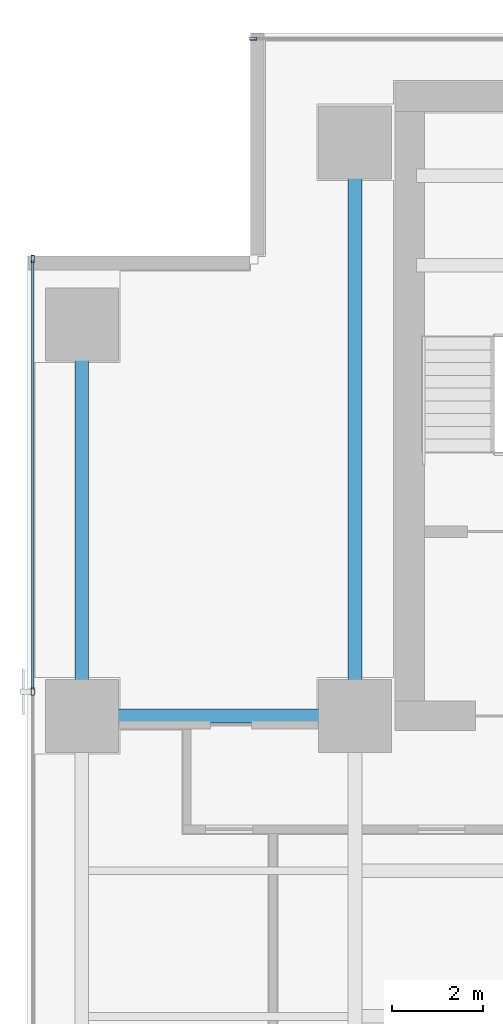
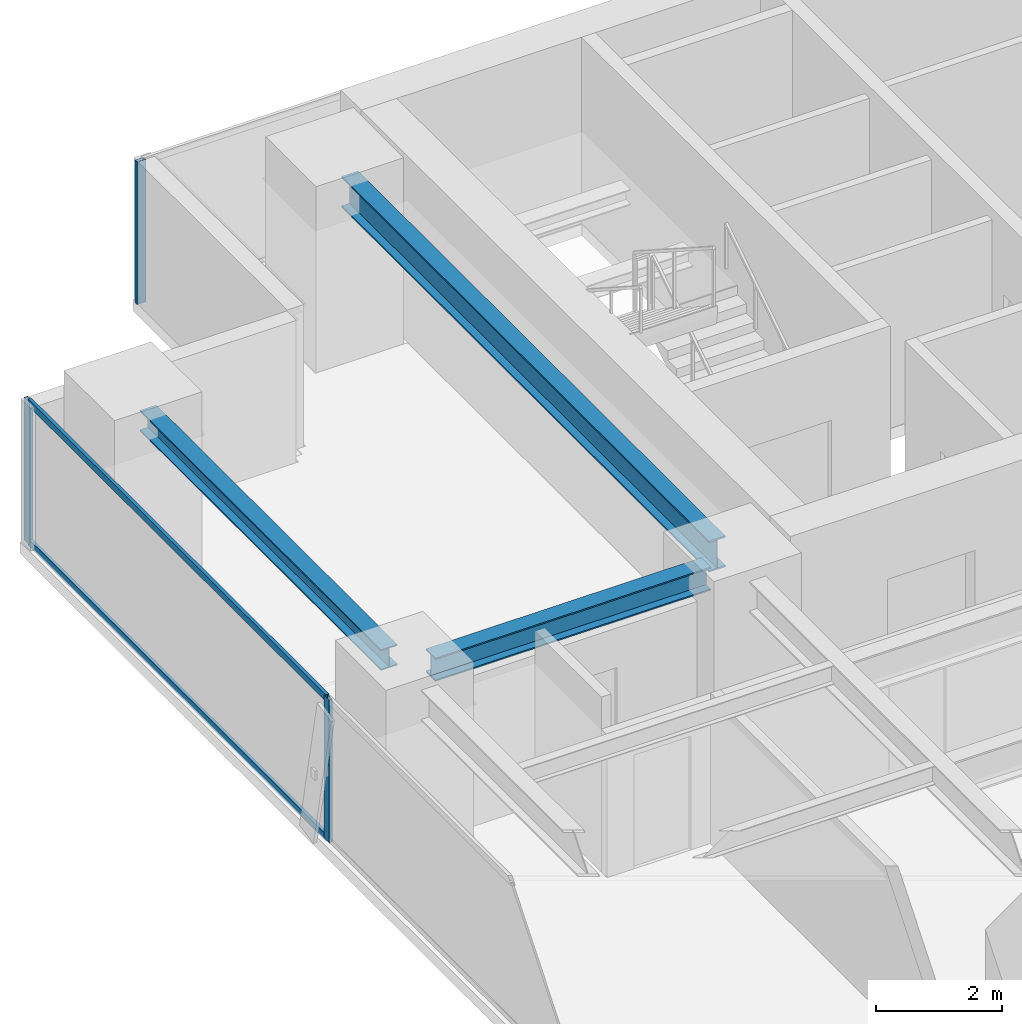
# One storey, part 14 of 28: 5 members, 3 beams, 2 elements without a shape of their own.
"""IFC4 building model written with IfcOpenShell, lengths in metres."""

from ifc_helpers import new_model, si_unit, direction, frame, origin, origin_2d, place, context, subcontext, project, spatial, hollow_rectangle, i_section, extrude, source, transform, mapped, material, layer, layer_set, material_profile, profile_set, type_object, element, aggregate, save


model = new_model("IFC4")

# Units and contexts
model_context = context("Model", 3, precision=1e-05, world=origin(), true_north=direction((0.0, 1.0)))
body_context = subcontext(model_context, "Body", "Model", "MODEL_VIEW")
ifc_project = project(units=[si_unit("LENGTHUNIT", "METRE"), si_unit("AREAUNIT", "SQUARE_METRE"), si_unit("VOLUMEUNIT", "CUBIC_METRE"), si_unit("PLANEANGLEUNIT", "RADIAN"), si_unit("MASSUNIT", "GRAM", prefix="KILO")], contexts=[model_context])

# Site, building, storey
site_placement = place(None, origin())
site = spatial("IfcSite", under=ifc_project, at=site_placement, CompositionType="ELEMENT")
building_placement = place(site_placement, origin())
building = spatial("IfcBuilding", under=site, at=building_placement, Name="Sumidabori Civic Tower", CompositionType="ELEMENT")
storey_placement = place(building_placement, frame((0.0, 0.0, 167.60009765625)))
storey = spatial("IfcBuildingStorey", under=building, at=storey_placement, Name="L43", CompositionType="ELEMENT", Elevation=167.60009765625)

# Beams
ifc_material_1 = material(Name="Steel SN490", Category="steel")
ifc_material_profile_1 = material_profile(ifc_material_1, i_section(OverallWidth=0.300048828125, OverallDepth=0.39990234375, WebThickness=0.013427734375, FlangeThickness=0.02392578125, at=origin_2d()), Name="HE 400 B")
ifc_profile_set_1 = profile_set([ifc_material_profile_1], Name="Steel SN490")
beam_type_1 = type_object("IfcBeamType", Name="BM-GIRD-400", PredefinedType="BEAM", material=ifc_profile_set_1)
shared_shape_1 = source(origin(), body_context, "Body", "SweptSolid", [
    extrude(i_section(OverallWidth=0.300048828125, OverallDepth=0.39990234375, WebThickness=0.013427734375, FlangeThickness=0.02392578125, at=origin_2d()), origin(), (0.0, 0.0, 1.0), 7.64013671875),
])
beam_1_placement = place(storey_placement, frame((-22.800048828125, 10.679931640625, 3.179931640625), z_axis=(0.0, 1.0, 0.0), x_axis=(-1.0, 0.0, 0.0)))
element("IfcBeam", 1, at=beam_1_placement, inside=storey, type_object=beam_type_1, Name="Primary Girder L43 GY-21", PredefinedType="BEAM", context=body_context, shape_type="MappedRepresentation", body=[
    mapped(shared_shape_1, transform((0.0, 0.0, 0.0), x_axis=(1.0, 0.0, 0.0), y_axis=(0.0, 1.0, 0.0), z_axis=(0.0, 0.0, 1.0), scale=1.0)),
])
ifc_material_profile_2 = material_profile(ifc_material_1, i_section(OverallWidth=0.300048828125, OverallDepth=0.60009765625, WebThickness=0.015380859375, FlangeThickness=0.030029296875, at=origin_2d()), Name="HE 600 B")
ifc_profile_set_2 = profile_set([ifc_material_profile_2], Name="Steel SN490")
beam_type_2 = type_object("IfcBeamType", Name="BM-GIRD-600", PredefinedType="BEAM", material=ifc_profile_set_2)
shared_shape_2 = source(origin(), body_context, "Body", "SweptSolid", [
    extrude(i_section(OverallWidth=0.300048828125, OverallDepth=0.60009765625, WebThickness=0.015380859375, FlangeThickness=0.030029296875, at=origin_2d()), origin(), (0.0, 0.0, 1.0), 11.64013671875),
])
beam_2_placement = place(storey_placement, frame((-16.800048828125, 10.679931640625, 3.079833984375), z_axis=(0.0, 1.0, 0.0), x_axis=(-1.0, 0.0, 0.0)))
element("IfcBeam", 2, at=beam_2_placement, inside=storey, type_object=beam_type_2, Name="Primary Girder L43 GY-25", PredefinedType="BEAM", context=body_context, shape_type="MappedRepresentation", body=[
    mapped(shared_shape_2, transform((0.0, 0.0, 0.0), x_axis=(1.0, 0.0, 0.0), y_axis=(0.0, 1.0, 0.0), z_axis=(0.0, 0.0, 1.0), scale=1.0)),
])
ifc_material_profile_3 = material_profile(ifc_material_1, i_section(OverallWidth=0.300048828125, OverallDepth=0.449951171875, WebThickness=0.013916015625, FlangeThickness=0.02587890625, at=origin_2d()), Name="HE 450 B")
ifc_profile_set_3 = profile_set([ifc_material_profile_3], Name="Steel SN490")
beam_type_3 = type_object("IfcBeamType", Name="BM-GIRD-450", PredefinedType="BEAM", material=ifc_profile_set_3)
shared_shape_3 = source(origin(), body_context, "Body", "SweptSolid", [
    extrude(i_section(OverallWidth=0.300048828125, OverallDepth=0.449951171875, WebThickness=0.013916015625, FlangeThickness=0.02587890625, at=origin_2d()), origin(), (0.0, 0.0, 1.0), 5.0400390625),
])
beam_3_placement = place(storey_placement, frame((-22.320068359375, 10.199951171875, 3.15478515625), z_axis=(1.0, 0.0, 0.0), x_axis=(0.0, 1.0, 0.0)))
element("IfcBeam", 3, at=beam_3_placement, inside=storey, type_object=beam_type_3, Name="Primary Girder L43 GX-17", PredefinedType="BEAM", context=body_context, shape_type="MappedRepresentation", body=[
    mapped(shared_shape_3, transform((0.0, 0.0, 0.0), x_axis=(1.0, 0.0, 0.0), y_axis=(0.0, 1.0, 0.0), z_axis=(0.0, 0.0, 1.0), scale=1.0)),
])

# Curtain wall, member
ifc_material_2 = material(Name="Anodised Bronze Aluminium AW-6063-T6", Category="aluminium")
ifc_layer = layer(ifc_material_2, 0.179931640625, Name="Anodised Bronze Aluminium AW-6063-T6")
ifc_layer_set = layer_set([ifc_layer], Name="Anodised Bronze Aluminium AW-6063-T6")
curtain_wall_type = type_object("IfcCurtainWallType", Name="CW-SYS-3", PredefinedType="NOTDEFINED", material=ifc_layer_set)
curtain_wall_1_placement = place(storey_placement, origin())
curtain_wall_1 = element("IfcCurtainWall", 4, at=curtain_wall_1_placement, inside=storey, type_object=curtain_wall_type, Name="Curtain Wall CW:L43:R07", PredefinedType="NOTDEFINED")
ifc_material_profile_4 = material_profile(ifc_material_2, hollow_rectangle(XDim=0.06494140625, YDim=0.159912109375, WallThickness=0.0048828125, at=origin_2d()), Name="ALU MULLION 160x65")
ifc_profile_set_4 = profile_set([ifc_material_profile_4], Name="Anodised Bronze Aluminium AW-6063-T6")
member_type_1 = type_object("IfcMemberType", Name="CW-MUL-160", PredefinedType="MULLION", material=ifc_profile_set_4)
shared_shape_4 = source(origin(), body_context, "Body", "SweptSolid", [
    extrude(hollow_rectangle(XDim=0.06494140625, YDim=0.159912109375, WallThickness=0.0048828125, at=origin_2d()), origin(), (0.0, 0.0, 1.0), 2.760009765625),
])
member_1_placement = place(storey_placement, frame((-19.03759765625, 25.080078125, 0.0), z_axis=(0.0, 0.0, 1.0), x_axis=(0.0, -1.0, 0.0)))
member_1 = element("IfcMember", 5, at=member_1_placement, type_object=member_type_1, Name="CW-3 mullion 5", PredefinedType="MULLION", context=body_context, shape_type="MappedRepresentation", body=[
    mapped(shared_shape_4, transform((0.0, 0.0, 0.0), x_axis=(1.0, 0.0, 0.0), y_axis=(0.0, 1.0, 0.0), z_axis=(0.0, 0.0, 1.0), scale=1.0)),
])
aggregate(curtain_wall_1, [member_1])

# Curtain wall, members
curtain_wall_2_placement = place(storey_placement, origin())
curtain_wall_2 = element("IfcCurtainWall", 6, at=curtain_wall_2_placement, inside=storey, type_object=curtain_wall_type, Name="Curtain Wall CW:L43:R10", PredefinedType="NOTDEFINED")
member_2_placement = place(storey_placement, frame((-23.8798828125, 20.237548828125, 0.0), z_axis=(0.0, 0.0, 1.0), x_axis=(1.0, 0.0, 0.0)))
member_2 = element("IfcMember", 7, at=member_2_placement, type_object=member_type_1, Name="CW-3 mullion 1", PredefinedType="MULLION", context=body_context, shape_type="MappedRepresentation", body=[
    mapped(shared_shape_4, transform((0.0, 0.0, 0.0), x_axis=(1.0, 0.0, 0.0), y_axis=(0.0, 1.0, 0.0), z_axis=(0.0, 0.0, 1.0), scale=1.0)),
])
member_3_placement = place(storey_placement, frame((-23.8798828125, 10.735107421875, 0.0), z_axis=(0.0, 0.0, 1.0), x_axis=(1.0, 0.0, 0.0)))
member_3 = element("IfcMember", 8, at=member_3_placement, type_object=member_type_1, Name="CW-3 mullion 2", PredefinedType="MULLION", context=body_context, shape_type="MappedRepresentation", body=[
    mapped(shared_shape_4, transform((0.0, 0.0, 0.0), x_axis=(1.0, 0.0, 0.0), y_axis=(0.0, 1.0, 0.0), z_axis=(0.0, 0.0, 1.0), scale=1.0)),
])
ifc_material_profile_5 = material_profile(ifc_material_2, hollow_rectangle(XDim=0.06005859375, YDim=0.1298828125, WallThickness=0.0048828125, at=origin_2d()), Name="ALU TRANSOM 130x60")
ifc_profile_set_5 = profile_set([ifc_material_profile_5], Name="Anodised Bronze Aluminium AW-6063-T6")
member_type_2 = type_object("IfcMemberType", Name="CW-TRN-130", PredefinedType="USERDEFINED", material=ifc_profile_set_5)
shared_shape_5 = source(origin(), body_context, "Body", "SweptSolid", [
    extrude(hollow_rectangle(XDim=0.06005859375, YDim=0.1298828125, WallThickness=0.0048828125, at=origin_2d()), origin(), (0.0, 0.0, 1.0), 9.4375),
])
member_4_placement = place(storey_placement, frame((-23.8798828125, 20.205078125, 0.02978515625), z_axis=(0.0, -1.0, 0.0), x_axis=(1.0, 0.0, 0.0)))
member_4 = element("IfcMember", 9, at=member_4_placement, type_object=member_type_2, Name="CW-3 transom 1.1", ObjectType="TRANSOM", PredefinedType="USERDEFINED", context=body_context, shape_type="MappedRepresentation", body=[
    mapped(shared_shape_5, transform((0.0, 0.0, 0.0), x_axis=(1.0, 0.0, 0.0), y_axis=(0.0, 1.0, 0.0), z_axis=(0.0, 0.0, 1.0), scale=1.0)),
])
member_5_placement = place(storey_placement, frame((-23.8798828125, 20.205078125, 2.72998046875), z_axis=(0.0, -1.0, 0.0), x_axis=(1.0, 0.0, 0.0)))
member_5 = element("IfcMember", 10, at=member_5_placement, type_object=member_type_2, Name="CW-3 transom 1.2", ObjectType="TRANSOM", PredefinedType="USERDEFINED", context=body_context, shape_type="MappedRepresentation", body=[
    mapped(shared_shape_5, transform((0.0, 0.0, 0.0), x_axis=(1.0, 0.0, 0.0), y_axis=(0.0, 1.0, 0.0), z_axis=(0.0, 0.0, 1.0), scale=1.0)),
])
aggregate(curtain_wall_2, [member_2, member_3, member_4, member_5])

save(model, "model.ifc")
